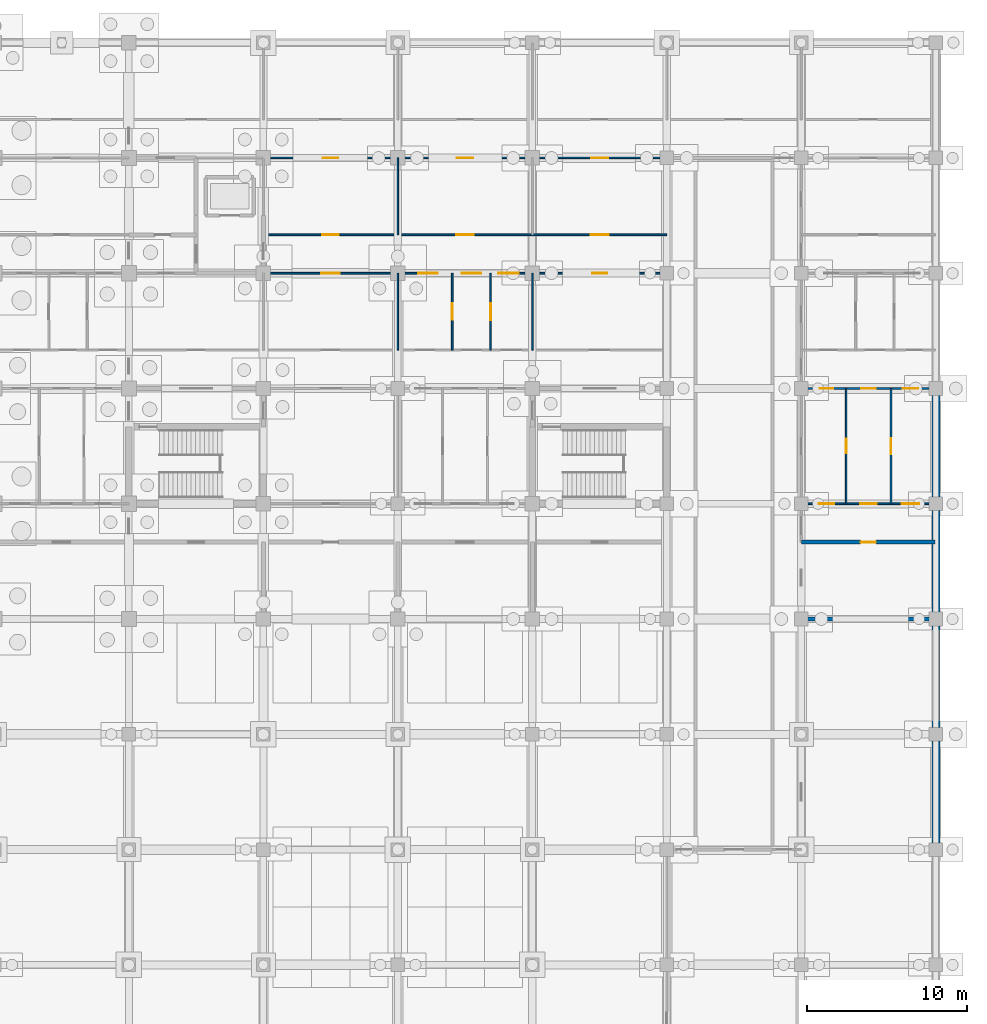
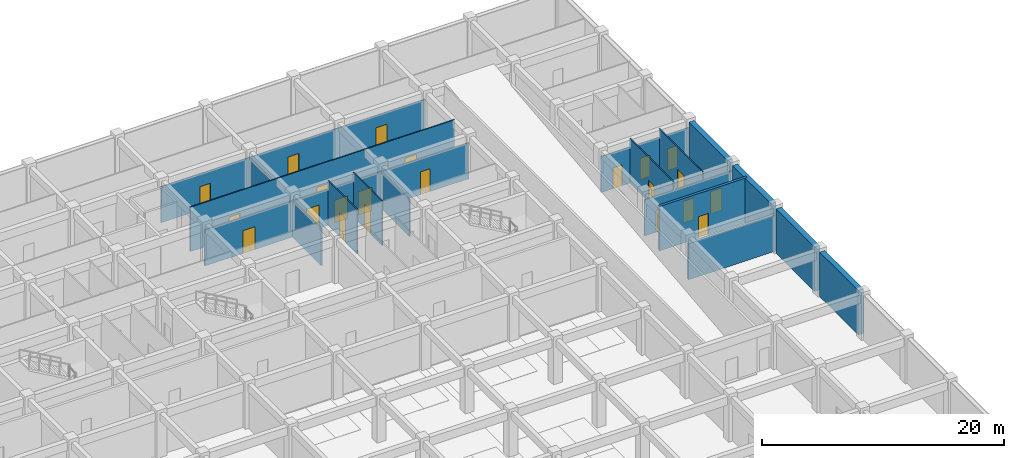
# One storey, part 78 of 85: 22 doors, 18 walls, 22 openings.
"""IFC4 building model written with IfcOpenShell, lengths in metres."""

from ifc_helpers import new_model, si_unit, direction, frame, frame_2d, origin, place, context, subcontext, project, spatial, rectangle, extrude, material, layer, layer_set, type_object, element, fill, save


model = new_model("IFC4")

# Units and contexts
model_context = context("Model", 3, precision=1e-05, world=origin(), true_north=direction((0.0, 1.0)))
body_context = subcontext(model_context, "Body", "Model", "MODEL_VIEW")
ifc_project = project(units=[si_unit("LENGTHUNIT", "METRE"), si_unit("AREAUNIT", "SQUARE_METRE"), si_unit("VOLUMEUNIT", "CUBIC_METRE"), si_unit("PLANEANGLEUNIT", "RADIAN"), si_unit("MASSUNIT", "GRAM", prefix="KILO")], contexts=[model_context])

# Site, building, storey
site_placement = place(None, origin())
site = spatial("IfcSite", under=ifc_project, at=site_placement, CompositionType="ELEMENT")
building_placement = place(site_placement, origin())
building = spatial("IfcBuilding", under=site, at=building_placement, Name="Chengyuan Square Courthouse", CompositionType="ELEMENT")
storey_placement = place(building_placement, frame((0.0, 0.0, -10.199951171875)))
storey = spatial("IfcBuildingStorey", under=building, at=storey_placement, Name="B02", CompositionType="ELEMENT", Elevation=-10.199951171875)

# Wall
ifc_material_1 = material(Name="Concrete C40", Category="concrete")
ifc_layer_1 = layer(ifc_material_1, 0.25)
ifc_layer_set_1 = layer_set([ifc_layer_1], Name="Concrete C40")
wall_type_1 = type_object("IfcWallType", Name="WL-FW1", PredefinedType="STANDARD", material=ifc_layer_set_1)
wall_1_placement = place(storey_placement, frame((159.60009765625, 79.199951171875, 0.0), z_axis=(0.0, 0.0, 1.0), x_axis=(1.0, 0.0, 0.0)))
element("IfcWall", 1, at=wall_1_placement, inside=storey, type_object=wall_type_1, Name="Interior Wall WL-B02-I022", PredefinedType="STANDARD", context=body_context, shape_type="SweptSolid", body=[
    extrude(rectangle(XDim=8.35986328125, YDim=0.25, at=frame_2d((4.179931640625, 0.0))), origin(), (0.0, 0.0, 1.0), 3.6298828125),
])

# Wall, opening, door
wall_2_placement = place(storey_placement, frame((159.60009765625, 84.0, 0.0), z_axis=(0.0, 0.0, 1.0), x_axis=(1.0, 0.0, 0.0)))
wall_2 = element("IfcWall", 2, at=wall_2_placement, inside=storey, type_object=wall_type_1, Name="Interior Wall WL-B02-I026", PredefinedType="STANDARD", context=body_context, shape_type="SweptSolid", body=[
    extrude(rectangle(XDim=8.35986328125, YDim=0.25, at=frame_2d((4.179931640625, 0.0))), origin(), (0.0, 0.0, 1.0), 4.47998046875),
])
opening_1_placement = place(wall_2_placement, frame((3.705078125, 0.0, 0.0)))
opening_1 = element("IfcOpeningElement", 3, at=opening_1_placement, cuts=wall_2, Name="Opening DR-312", PredefinedType="OPENING", context=body_context, shape_type="SweptSolid", body=[
    extrude(rectangle(XDim=0.949951171875, YDim=2.14990234375, at=frame_2d((0.47509765625, 1.074951171875))), frame((0.0, 0.136962890625, 0.0), z_axis=(0.0, -1.0, 0.0), x_axis=(1.0, 0.0, 0.0)), (0.0, 0.0, 1.0), 0.27392578125),
])
ifc_material_2 = material(Name="Steel Q235B Fire Door", Category="steel")
door_type_1 = type_object("IfcDoorType", Name="DT-12", OperationType="NOTDEFINED", PredefinedType="DOOR", material=ifc_material_2)
door_1_placement = place(opening_1_placement, origin())
door_1 = element("IfcDoor", 4, at=door_1_placement, inside=storey, type_object=door_type_1, Name="Interior Door DR-312", OperationType="SINGLE_SWING_LEFT", OverallHeight=2.14990234375, OverallWidth=0.949951171875, PredefinedType="DOOR", context=body_context, shape_type="SweptSolid", body=[
    extrude(rectangle(XDim=0.949951171875, YDim=2.14990234375, at=frame_2d((0.47509765625, 1.074951171875))), frame((0.0, 0.02490234375, 0.0), z_axis=(0.0, -1.0, 0.0), x_axis=(1.0, 0.0, 0.0)), (0.0, 0.0, 1.0), 0.050048828125),
])
fill(opening_1, door_1)

# Wall, openings, doors
ifc_material_3 = material(Name="Gypsum Plasterboard Acoustic Stud Partition")
ifc_layer_2 = layer(ifc_material_3, 0.10009765625)
ifc_layer_set_2 = layer_set([ifc_layer_2], Name="Gypsum Plasterboard Acoustic Stud Partition")
wall_type_2 = type_object("IfcWallType", Name="WL-PT6", PredefinedType="STANDARD", material=ifc_layer_set_2)
wall_3_placement = place(storey_placement, frame((159.60009765625, 86.39990234375, 0.0), z_axis=(0.0, 0.0, 1.0), x_axis=(1.0, 0.0, 0.0)))
wall_3 = element("IfcWall", 5, at=wall_3_placement, inside=storey, type_object=wall_type_2, Name="Interior Wall WL-B02-I041", PredefinedType="STANDARD", context=body_context, shape_type="SweptSolid", body=[
    extrude(rectangle(XDim=8.35986328125, YDim=0.10009765625, at=frame_2d((4.179931640625, 0.0))), origin(), (0.0, 0.0, 1.0), 3.6298828125),
])
opening_2_placement = place(wall_3_placement, frame((1.092529296875, 0.0, 0.0)))
opening_2 = element("IfcOpeningElement", 6, at=opening_2_placement, cuts=wall_3, Name="Opening DR-259", PredefinedType="OPENING", context=body_context, shape_type="SweptSolid", body=[
    extrude(rectangle(XDim=0.9599609375, YDim=2.199951171875, at=frame_2d((0.47998046875, 1.10009765625))), frame((0.0, 0.06201171875, 0.0), z_axis=(0.0, -1.0, 0.0), x_axis=(1.0, 0.0, 0.0)), (0.0, 0.0, 1.0), 0.1240234375),
])
opening_3_placement = place(wall_3_placement, frame((3.679931640625, 0.0, 0.0)))
opening_3 = element("IfcOpeningElement", 7, at=opening_3_placement, cuts=wall_3, Name="Opening DR-261", PredefinedType="OPENING", context=body_context, shape_type="SweptSolid", body=[
    extrude(rectangle(XDim=1.0400390625, YDim=2.199951171875, at=frame_2d((0.52001953125, 1.10009765625))), frame((0.0, 0.06201171875, 0.0), z_axis=(0.0, -1.0, 0.0), x_axis=(1.0, 0.0, 0.0)), (0.0, 0.0, 1.0), 0.1240234375),
])
opening_4_placement = place(wall_3_placement, frame((6.28759765625, 0.0, 0.0)))
opening_4 = element("IfcOpeningElement", 8, at=opening_4_placement, cuts=wall_3, Name="Opening DR-262", PredefinedType="OPENING", context=body_context, shape_type="SweptSolid", body=[
    extrude(rectangle(XDim=1.080078125, YDim=2.25, at=frame_2d((0.5400390625, 1.125))), frame((0.0, 0.06201171875, 0.0), z_axis=(0.0, -1.0, 0.0), x_axis=(1.0, 0.0, 0.0)), (0.0, 0.0, 1.0), 0.1240234375),
])
ifc_material_4 = material(Name="Acoustic Solid-Core Timber Door", Category="wood")
door_type_2 = type_object("IfcDoorType", Name="DT-30", OperationType="NOTDEFINED", PredefinedType="DOOR", material=ifc_material_4)
door_2_placement = place(opening_2_placement, origin())
door_2 = element("IfcDoor", 9, at=door_2_placement, inside=storey, type_object=door_type_2, Name="Interior Door DR-259", OperationType="SINGLE_SWING_RIGHT", OverallHeight=2.199951171875, OverallWidth=0.9599609375, PredefinedType="DOOR", context=body_context, shape_type="SweptSolid", body=[
    extrude(rectangle(XDim=0.9599609375, YDim=2.199951171875, at=frame_2d((0.47998046875, 1.10009765625))), frame((0.0, 0.02490234375, 0.0), z_axis=(0.0, -1.0, 0.0), x_axis=(1.0, 0.0, 0.0)), (0.0, 0.0, 1.0), 0.050048828125),
])
fill(opening_2, door_2)
door_type_3 = type_object("IfcDoorType", Name="DT-32", OperationType="NOTDEFINED", PredefinedType="DOOR", material=ifc_material_4)
door_3_placement = place(opening_3_placement, origin())
door_3 = element("IfcDoor", 10, at=door_3_placement, inside=storey, type_object=door_type_3, Name="Interior Door DR-261", OperationType="SINGLE_SWING_RIGHT", OverallHeight=2.199951171875, OverallWidth=1.0400390625, PredefinedType="DOOR", context=body_context, shape_type="SweptSolid", body=[
    extrude(rectangle(XDim=1.0400390625, YDim=2.199951171875, at=frame_2d((0.52001953125, 1.10009765625))), frame((0.0, 0.02490234375, 0.0), z_axis=(0.0, -1.0, 0.0), x_axis=(1.0, 0.0, 0.0)), (0.0, 0.0, 1.0), 0.050048828125),
])
fill(opening_3, door_3)
door_type_4 = type_object("IfcDoorType", Name="DT-33", OperationType="NOTDEFINED", PredefinedType="DOOR", material=ifc_material_4)
door_4_placement = place(opening_4_placement, origin())
door_4 = element("IfcDoor", 11, at=door_4_placement, inside=storey, type_object=door_type_4, Name="Interior Door DR-262", OperationType="SINGLE_SWING_LEFT", OverallHeight=2.25, OverallWidth=1.080078125, PredefinedType="DOOR", context=body_context, shape_type="SweptSolid", body=[
    extrude(rectangle(XDim=1.080078125, YDim=2.25, at=frame_2d((0.5400390625, 1.125))), frame((0.0, 0.02490234375, 0.0), z_axis=(0.0, -1.0, 0.0), x_axis=(1.0, 0.0, 0.0)), (0.0, 0.0, 1.0), 0.050048828125),
])
fill(opening_4, door_4)

wall_4_placement = place(storey_placement, frame((159.60009765625, 93.60009765625, 0.0), z_axis=(0.0, 0.0, 1.0), x_axis=(1.0, 0.0, 0.0)))
wall_4 = element("IfcWall", 12, at=wall_4_placement, inside=storey, type_object=wall_type_2, Name="Interior Wall WL-B02-I061", PredefinedType="STANDARD", context=body_context, shape_type="SweptSolid", body=[
    extrude(rectangle(XDim=8.35986328125, YDim=0.10009765625, at=frame_2d((4.179931640625, 0.0))), origin(), (0.0, 0.0, 1.0), 3.6298828125),
])
opening_5_placement = place(wall_4_placement, frame((1.142578125, 0.0, 0.0)))
opening_5 = element("IfcOpeningElement", 13, at=opening_5_placement, cuts=wall_4, Name="Opening DR-206", PredefinedType="OPENING", context=body_context, shape_type="SweptSolid", body=[
    extrude(rectangle(XDim=0.860107421875, YDim=2.10009765625, at=frame_2d((0.43017578125, 1.050048828125))), frame((0.0, 0.06201171875, 0.0), z_axis=(0.0, -1.0, 0.0), x_axis=(1.0, 0.0, 0.0)), (0.0, 0.0, 1.0), 0.1240234375),
])
opening_6_placement = place(wall_4_placement, frame((3.739990234375, 0.0, 0.0)))
opening_6 = element("IfcOpeningElement", 14, at=opening_6_placement, cuts=wall_4, Name="Opening DR-207", PredefinedType="OPENING", context=body_context, shape_type="SweptSolid", body=[
    extrude(rectangle(XDim=0.919921875, YDim=2.14990234375, at=frame_2d((0.4599609375, 1.074951171875))), frame((0.0, 0.06201171875, 0.0), z_axis=(0.0, -1.0, 0.0), x_axis=(1.0, 0.0, 0.0)), (0.0, 0.0, 1.0), 0.1240234375),
])
opening_7_placement = place(wall_4_placement, frame((6.347412109375, 0.0, 0.0)))
opening_7 = element("IfcOpeningElement", 15, at=opening_7_placement, cuts=wall_4, Name="Opening DR-208", PredefinedType="OPENING", context=body_context, shape_type="SweptSolid", body=[
    extrude(rectangle(XDim=0.9599609375, YDim=2.199951171875, at=frame_2d((0.47998046875, 1.10009765625))), frame((0.0, 0.06201171875, 0.0), z_axis=(0.0, -1.0, 0.0), x_axis=(1.0, 0.0, 0.0)), (0.0, 0.0, 1.0), 0.1240234375),
])
door_type_5 = type_object("IfcDoorType", Name="DT-28", OperationType="NOTDEFINED", PredefinedType="DOOR", material=ifc_material_4)
door_5_placement = place(opening_5_placement, origin())
door_5 = element("IfcDoor", 16, at=door_5_placement, inside=storey, type_object=door_type_5, Name="Interior Door DR-206", OperationType="SINGLE_SWING_RIGHT", OverallHeight=2.10009765625, OverallWidth=0.860107421875, PredefinedType="DOOR", context=body_context, shape_type="SweptSolid", body=[
    extrude(rectangle(XDim=0.860107421875, YDim=2.10009765625, at=frame_2d((0.43017578125, 1.050048828125))), frame((0.0, 0.02490234375, 0.0), z_axis=(0.0, -1.0, 0.0), x_axis=(1.0, 0.0, 0.0)), (0.0, 0.0, 1.0), 0.050048828125),
])
fill(opening_5, door_5)
door_type_6 = type_object("IfcDoorType", Name="DT-29", OperationType="NOTDEFINED", PredefinedType="DOOR", material=ifc_material_4)
door_6_placement = place(opening_6_placement, origin())
door_6 = element("IfcDoor", 17, at=door_6_placement, inside=storey, type_object=door_type_6, Name="Interior Door DR-207", OperationType="SINGLE_SWING_LEFT", OverallHeight=2.14990234375, OverallWidth=0.919921875, PredefinedType="DOOR", context=body_context, shape_type="SweptSolid", body=[
    extrude(rectangle(XDim=0.919921875, YDim=2.14990234375, at=frame_2d((0.4599609375, 1.074951171875))), frame((0.0, 0.02490234375, 0.0), z_axis=(0.0, -1.0, 0.0), x_axis=(1.0, 0.0, 0.0)), (0.0, 0.0, 1.0), 0.050048828125),
])
fill(opening_6, door_6)
door_7_placement = place(opening_7_placement, origin())
door_7 = element("IfcDoor", 18, at=door_7_placement, inside=storey, type_object=door_type_2, Name="Interior Door DR-208", OperationType="SINGLE_SWING_RIGHT", OverallHeight=2.199951171875, OverallWidth=0.9599609375, PredefinedType="DOOR", context=body_context, shape_type="SweptSolid", body=[
    extrude(rectangle(XDim=0.9599609375, YDim=2.199951171875, at=frame_2d((0.47998046875, 1.10009765625))), frame((0.0, 0.02490234375, 0.0), z_axis=(0.0, -1.0, 0.0), x_axis=(1.0, 0.0, 0.0)), (0.0, 0.0, 1.0), 0.050048828125),
])
fill(opening_7, door_7)

wall_5_placement = place(storey_placement, frame((126.0, 100.800048828125, 0.0), z_axis=(0.0, 0.0, 1.0), x_axis=(1.0, 0.0, 0.0)))
wall_5 = element("IfcWall", 19, at=wall_5_placement, inside=storey, type_object=wall_type_2, Name="Interior Wall WL-B02-I072", PredefinedType="STANDARD", context=body_context, shape_type="SweptSolid", body=[
    extrude(rectangle(XDim=25.199951171875, YDim=0.10009765625, at=frame_2d((12.60009765625, 0.0))), origin(), (0.0, 0.0, 1.0), 3.6298828125),
])
opening_8_placement = place(wall_5_placement, frame((3.6201171875, 0.0, 0.0)))
opening_8 = element("IfcOpeningElement", 20, at=opening_8_placement, cuts=wall_5, Name="Opening DR-128", PredefinedType="OPENING", context=body_context, shape_type="SweptSolid", body=[
    extrude(rectangle(XDim=1.159912109375, YDim=2.300048828125, at=frame_2d((0.580078125, 1.14990234375))), frame((0.0, 0.06201171875, 0.0), z_axis=(0.0, -1.0, 0.0), x_axis=(1.0, 0.0, 0.0)), (0.0, 0.0, 1.0), 0.1240234375),
])
opening_9_placement = place(wall_5_placement, frame((9.68505859375, 0.0, 0.0)))
opening_9 = element("IfcOpeningElement", 21, at=opening_9_placement, cuts=wall_5, Name="Opening DR-129", PredefinedType="OPENING", context=body_context, shape_type="SweptSolid", body=[
    extrude(rectangle(XDim=1.199951171875, YDim=2.35009765625, at=frame_2d((0.60009765625, 1.175048828125))), frame((0.0, 0.06201171875, 0.0), z_axis=(0.0, -1.0, 0.0), x_axis=(1.0, 0.0, 0.0)), (0.0, 0.0, 1.0), 0.1240234375),
])
opening_10_placement = place(wall_5_placement, frame((12.3798828125, 0.0, 0.0)))
opening_10 = element("IfcOpeningElement", 22, at=opening_10_placement, cuts=wall_5, Name="Opening DR-130", PredefinedType="OPENING", context=body_context, shape_type="SweptSolid", body=[
    extrude(rectangle(XDim=1.239990234375, YDim=2.300048828125, at=frame_2d((0.6201171875, 1.14990234375))), frame((0.0, 0.06201171875, 0.0), z_axis=(0.0, -1.0, 0.0), x_axis=(1.0, 0.0, 0.0)), (0.0, 0.0, 1.0), 0.1240234375),
])
opening_11_placement = place(wall_5_placement, frame((14.675048828125, 0.0, 0.0)))
opening_11 = element("IfcOpeningElement", 23, at=opening_11_placement, cuts=wall_5, Name="Opening DR-131", PredefinedType="OPENING", context=body_context, shape_type="SweptSolid", body=[
    extrude(rectangle(XDim=1.280029296875, YDim=2.35009765625, at=frame_2d((0.64013671875, 1.175048828125))), frame((0.0, 0.06201171875, 0.0), z_axis=(0.0, -1.0, 0.0), x_axis=(1.0, 0.0, 0.0)), (0.0, 0.0, 1.0), 0.1240234375),
])
opening_12_placement = place(wall_5_placement, frame((20.54248046875, 0.0, 0.0)))
opening_12 = element("IfcOpeningElement", 24, at=opening_12_placement, cuts=wall_5, Name="Opening DR-132", PredefinedType="OPENING", context=body_context, shape_type="SweptSolid", body=[
    extrude(rectangle(XDim=0.93994140625, YDim=2.300048828125, at=frame_2d((0.469970703125, 1.14990234375))), frame((0.0, 0.06201171875, 0.0), z_axis=(0.0, -1.0, 0.0), x_axis=(1.0, 0.0, 0.0)), (0.0, 0.0, 1.0), 0.1240234375),
])
door_type_7 = type_object("IfcDoorType", Name="DT-35", OperationType="NOTDEFINED", PredefinedType="DOOR", material=ifc_material_4)
door_8_placement = place(opening_8_placement, origin())
door_8 = element("IfcDoor", 25, at=door_8_placement, inside=storey, type_object=door_type_7, Name="Interior Door DR-128", OperationType="SINGLE_SWING_RIGHT", OverallHeight=2.300048828125, OverallWidth=1.159912109375, PredefinedType="DOOR", context=body_context, shape_type="SweptSolid", body=[
    extrude(rectangle(XDim=1.159912109375, YDim=2.300048828125, at=frame_2d((0.580078125, 1.14990234375))), frame((0.0, 0.02490234375, 0.0), z_axis=(0.0, -1.0, 0.0), x_axis=(1.0, 0.0, 0.0)), (0.0, 0.0, 1.0), 0.050048828125),
])
fill(opening_8, door_8)
door_type_8 = type_object("IfcDoorType", Name="DT-36", OperationType="NOTDEFINED", PredefinedType="DOOR", material=ifc_material_4)
door_9_placement = place(opening_9_placement, origin())
door_9 = element("IfcDoor", 26, at=door_9_placement, inside=storey, type_object=door_type_8, Name="Interior Door DR-129", OperationType="SINGLE_SWING_LEFT", OverallHeight=2.35009765625, OverallWidth=1.199951171875, PredefinedType="DOOR", context=body_context, shape_type="SweptSolid", body=[
    extrude(rectangle(XDim=1.199951171875, YDim=2.35009765625, at=frame_2d((0.60009765625, 1.175048828125))), frame((0.0, 0.02490234375, 0.0), z_axis=(0.0, -1.0, 0.0), x_axis=(1.0, 0.0, 0.0)), (0.0, 0.0, 1.0), 0.050048828125),
])
fill(opening_9, door_9)
door_type_9 = type_object("IfcDoorType", Name="DT-37", OperationType="NOTDEFINED", PredefinedType="DOOR", material=ifc_material_4)
door_10_placement = place(opening_10_placement, origin())
door_10 = element("IfcDoor", 27, at=door_10_placement, inside=storey, type_object=door_type_9, Name="Interior Door DR-130", OperationType="SINGLE_SWING_RIGHT", OverallHeight=2.300048828125, OverallWidth=1.239990234375, PredefinedType="DOOR", context=body_context, shape_type="SweptSolid", body=[
    extrude(rectangle(XDim=1.239990234375, YDim=2.300048828125, at=frame_2d((0.6201171875, 1.14990234375))), frame((0.0, 0.02490234375, 0.0), z_axis=(0.0, -1.0, 0.0), x_axis=(1.0, 0.0, 0.0)), (0.0, 0.0, 1.0), 0.050048828125),
])
fill(opening_10, door_10)
door_type_10 = type_object("IfcDoorType", Name="DT-38", OperationType="NOTDEFINED", PredefinedType="DOOR", material=ifc_material_4)
door_11_placement = place(opening_11_placement, origin())
door_11 = element("IfcDoor", 28, at=door_11_placement, inside=storey, type_object=door_type_10, Name="Interior Door DR-131", OperationType="SINGLE_SWING_LEFT", OverallHeight=2.35009765625, OverallWidth=1.280029296875, PredefinedType="DOOR", context=body_context, shape_type="SweptSolid", body=[
    extrude(rectangle(XDim=1.280029296875, YDim=2.35009765625, at=frame_2d((0.64013671875, 1.175048828125))), frame((0.0, 0.02490234375, 0.0), z_axis=(0.0, -1.0, 0.0), x_axis=(1.0, 0.0, 0.0)), (0.0, 0.0, 1.0), 0.050048828125),
])
fill(opening_11, door_11)
door_type_11 = type_object("IfcDoorType", Name="DT-39", OperationType="NOTDEFINED", PredefinedType="DOOR", material=ifc_material_4)
door_12_placement = place(opening_12_placement, origin())
door_12 = element("IfcDoor", 29, at=door_12_placement, inside=storey, type_object=door_type_11, Name="Interior Door DR-132", OperationType="SINGLE_SWING_RIGHT", OverallHeight=2.300048828125, OverallWidth=0.93994140625, PredefinedType="DOOR", context=body_context, shape_type="SweptSolid", body=[
    extrude(rectangle(XDim=0.93994140625, YDim=2.300048828125, at=frame_2d((0.469970703125, 1.14990234375))), frame((0.0, 0.02490234375, 0.0), z_axis=(0.0, -1.0, 0.0), x_axis=(1.0, 0.0, 0.0)), (0.0, 0.0, 1.0), 0.050048828125),
])
fill(opening_12, door_12)

wall_6_placement = place(storey_placement, frame((126.0, 103.199951171875, 0.0), z_axis=(0.0, 0.0, 1.0), x_axis=(1.0, 0.0, 0.0)))
wall_6 = element("IfcWall", 30, at=wall_6_placement, inside=storey, type_object=wall_type_2, Name="Interior Wall WL-B02-I084", PredefinedType="STANDARD", context=body_context, shape_type="SweptSolid", body=[
    extrude(rectangle(XDim=25.199951171875, YDim=0.10009765625, at=frame_2d((12.60009765625, 0.0))), origin(), (0.0, 0.0, 1.0), 4.47998046875),
])
opening_13_placement = place(wall_6_placement, frame((3.679931640625, 0.0, 0.0)))
opening_13 = element("IfcOpeningElement", 31, at=opening_13_placement, cuts=wall_6, Name="Opening DR-125", PredefinedType="OPENING", context=body_context, shape_type="SweptSolid", body=[
    extrude(rectangle(XDim=1.0400390625, YDim=2.199951171875, at=frame_2d((0.52001953125, 1.10009765625))), frame((0.0, 0.06201171875, 0.0), z_axis=(0.0, -1.0, 0.0), x_axis=(1.0, 0.0, 0.0)), (0.0, 0.0, 1.0), 0.1240234375),
])
opening_14_placement = place(wall_6_placement, frame((12.06005859375, 0.0, 0.0)))
opening_14 = element("IfcOpeningElement", 32, at=opening_14_placement, cuts=wall_6, Name="Opening DR-126", PredefinedType="OPENING", context=body_context, shape_type="SweptSolid", body=[
    extrude(rectangle(XDim=1.080078125, YDim=2.25, at=frame_2d((0.5400390625, 1.125))), frame((0.0, 0.06201171875, 0.0), z_axis=(0.0, -1.0, 0.0), x_axis=(1.0, 0.0, 0.0)), (0.0, 0.0, 1.0), 0.1240234375),
])
opening_15_placement = place(wall_6_placement, frame((20.43994140625, 0.0, 0.0)))
opening_15 = element("IfcOpeningElement", 33, at=opening_15_placement, cuts=wall_6, Name="Opening DR-127", PredefinedType="OPENING", context=body_context, shape_type="SweptSolid", body=[
    extrude(rectangle(XDim=1.1201171875, YDim=2.25, at=frame_2d((0.56005859375, 1.125))), frame((0.0, 0.06201171875, 0.0), z_axis=(0.0, -1.0, 0.0), x_axis=(1.0, 0.0, 0.0)), (0.0, 0.0, 1.0), 0.1240234375),
])
door_13_placement = place(opening_13_placement, origin())
door_13 = element("IfcDoor", 34, at=door_13_placement, inside=storey, type_object=door_type_3, Name="Interior Door DR-125", OperationType="SINGLE_SWING_LEFT", OverallHeight=2.199951171875, OverallWidth=1.0400390625, PredefinedType="DOOR", context=body_context, shape_type="SweptSolid", body=[
    extrude(rectangle(XDim=1.0400390625, YDim=2.199951171875, at=frame_2d((0.52001953125, 1.10009765625))), frame((0.0, 0.02490234375, 0.0), z_axis=(0.0, -1.0, 0.0), x_axis=(1.0, 0.0, 0.0)), (0.0, 0.0, 1.0), 0.050048828125),
])
fill(opening_13, door_13)
door_14_placement = place(opening_14_placement, origin())
door_14 = element("IfcDoor", 35, at=door_14_placement, inside=storey, type_object=door_type_4, Name="Interior Door DR-126", OperationType="SINGLE_SWING_RIGHT", OverallHeight=2.25, OverallWidth=1.080078125, PredefinedType="DOOR", context=body_context, shape_type="SweptSolid", body=[
    extrude(rectangle(XDim=1.080078125, YDim=2.25, at=frame_2d((0.5400390625, 1.125))), frame((0.0, 0.02490234375, 0.0), z_axis=(0.0, -1.0, 0.0), x_axis=(1.0, 0.0, 0.0)), (0.0, 0.0, 1.0), 0.050048828125),
])
fill(opening_14, door_14)
door_type_12 = type_object("IfcDoorType", Name="DT-34", OperationType="NOTDEFINED", PredefinedType="DOOR", material=ifc_material_4)
door_15_placement = place(opening_15_placement, origin())
door_15 = element("IfcDoor", 36, at=door_15_placement, inside=storey, type_object=door_type_12, Name="Interior Door DR-127", OperationType="SINGLE_SWING_LEFT", OverallHeight=2.25, OverallWidth=1.1201171875, PredefinedType="DOOR", context=body_context, shape_type="SweptSolid", body=[
    extrude(rectangle(XDim=1.1201171875, YDim=2.25, at=frame_2d((0.56005859375, 1.125))), frame((0.0, 0.02490234375, 0.0), z_axis=(0.0, -1.0, 0.0), x_axis=(1.0, 0.0, 0.0)), (0.0, 0.0, 1.0), 0.050048828125),
])
fill(opening_15, door_15)

wall_7_placement = place(storey_placement, frame((126.0, 108.0, 0.0), z_axis=(0.0, 0.0, 1.0), x_axis=(1.0, 0.0, 0.0)))
wall_7 = element("IfcWall", 37, at=wall_7_placement, inside=storey, type_object=wall_type_2, Name="Interior Wall WL-B02-I108", PredefinedType="STANDARD", context=body_context, shape_type="SweptSolid", body=[
    extrude(rectangle(XDim=25.199951171875, YDim=0.10009765625, at=frame_2d((12.60009765625, 0.0))), origin(), (0.0, 0.0, 1.0), 3.6298828125),
])
opening_16_placement = place(wall_7_placement, frame((3.7099609375, 0.0, 0.0)))
opening_16 = element("IfcOpeningElement", 38, at=opening_16_placement, cuts=wall_7, Name="Opening DR-133", PredefinedType="OPENING", context=body_context, shape_type="SweptSolid", body=[
    extrude(rectangle(XDim=0.97998046875, YDim=2.35009765625, at=frame_2d((0.489990234375, 1.175048828125))), frame((0.0, 0.06201171875, 0.0), z_axis=(0.0, -1.0, 0.0), x_axis=(1.0, 0.0, 0.0)), (0.0, 0.0, 1.0), 0.1240234375),
])
opening_17_placement = place(wall_7_placement, frame((12.090087890625, 0.0, 0.0)))
opening_17 = element("IfcOpeningElement", 39, at=opening_17_placement, cuts=wall_7, Name="Opening DR-134", PredefinedType="OPENING", context=body_context, shape_type="SweptSolid", body=[
    extrude(rectangle(XDim=1.02001953125, YDim=2.39990234375, at=frame_2d((0.510009765625, 1.199951171875))), frame((0.0, 0.06201171875, 0.0), z_axis=(0.0, -1.0, 0.0), x_axis=(1.0, 0.0, 0.0)), (0.0, 0.0, 1.0), 0.1240234375),
])
opening_18_placement = place(wall_7_placement, frame((20.482421875, 0.0, 0.0)))
opening_18 = element("IfcOpeningElement", 40, at=opening_18_placement, cuts=wall_7, Name="Opening DR-135", PredefinedType="OPENING", context=body_context, shape_type="SweptSolid", body=[
    extrude(rectangle(XDim=1.06005859375, YDim=2.39990234375, at=frame_2d((0.530029296875, 1.199951171875))), frame((0.0, 0.06201171875, 0.0), z_axis=(0.0, -1.0, 0.0), x_axis=(1.0, 0.0, 0.0)), (0.0, 0.0, 1.0), 0.1240234375),
])
door_type_13 = type_object("IfcDoorType", Name="DT-40", OperationType="NOTDEFINED", PredefinedType="DOOR", material=ifc_material_4)
door_16_placement = place(opening_16_placement, origin())
door_16 = element("IfcDoor", 41, at=door_16_placement, inside=storey, type_object=door_type_13, Name="Interior Door DR-133", OperationType="SINGLE_SWING_LEFT", OverallHeight=2.35009765625, OverallWidth=0.97998046875, PredefinedType="DOOR", context=body_context, shape_type="SweptSolid", body=[
    extrude(rectangle(XDim=0.97998046875, YDim=2.35009765625, at=frame_2d((0.489990234375, 1.175048828125))), frame((0.0, 0.02490234375, 0.0), z_axis=(0.0, -1.0, 0.0), x_axis=(1.0, 0.0, 0.0)), (0.0, 0.0, 1.0), 0.050048828125),
])
fill(opening_16, door_16)
door_type_14 = type_object("IfcDoorType", Name="DT-41", OperationType="NOTDEFINED", PredefinedType="DOOR", material=ifc_material_4)
door_17_placement = place(opening_17_placement, origin())
door_17 = element("IfcDoor", 42, at=door_17_placement, inside=storey, type_object=door_type_14, Name="Interior Door DR-134", OperationType="SINGLE_SWING_RIGHT", OverallHeight=2.39990234375, OverallWidth=1.02001953125, PredefinedType="DOOR", context=body_context, shape_type="SweptSolid", body=[
    extrude(rectangle(XDim=1.02001953125, YDim=2.39990234375, at=frame_2d((0.510009765625, 1.199951171875))), frame((0.0, 0.02490234375, 0.0), z_axis=(0.0, -1.0, 0.0), x_axis=(1.0, 0.0, 0.0)), (0.0, 0.0, 1.0), 0.050048828125),
])
fill(opening_17, door_17)
door_type_15 = type_object("IfcDoorType", Name="DT-42", OperationType="NOTDEFINED", PredefinedType="DOOR", material=ifc_material_4)
door_18_placement = place(opening_18_placement, origin())
door_18 = element("IfcDoor", 43, at=door_18_placement, inside=storey, type_object=door_type_15, Name="Interior Door DR-135", OperationType="SINGLE_SWING_LEFT", OverallHeight=2.39990234375, OverallWidth=1.06005859375, PredefinedType="DOOR", context=body_context, shape_type="SweptSolid", body=[
    extrude(rectangle(XDim=1.06005859375, YDim=2.39990234375, at=frame_2d((0.530029296875, 1.199951171875))), frame((0.0, 0.02490234375, 0.0), z_axis=(0.0, -1.0, 0.0), x_axis=(1.0, 0.0, 0.0)), (0.0, 0.0, 1.0), 0.050048828125),
])
fill(opening_18, door_18)

# Walls
for number, where, z_axis, x_axis, name in (
    (44, (134.39990234375, 96.0, 0.0), (0.0, 0.0, 1.0), (0.0, 1.0, 0.0), "Interior Wall WL-B02-I248"),
    (45, (134.39990234375, 103.199951171875, 0.0), (0.0, 0.0, 1.0), (0.0, 1.0, 0.0), "Interior Wall WL-B02-I249"),
):
    element("IfcWall", number, at=place(storey_placement, frame(where, z_axis=z_axis, x_axis=x_axis)), inside=storey, type_object=wall_type_2, Name=name, PredefinedType="STANDARD", context=body_context, shape_type="SweptSolid", body=[
        extrude(rectangle(XDim=4.800048828125, YDim=0.10009765625, at=frame_2d((2.39990234375, 0.0))), origin(), (0.0, 0.0, 1.0), 3.72998046875),
    ])

# Wall, opening, door
wall_8_placement = place(storey_placement, frame((137.800048828125, 96.0, 0.0), z_axis=(0.0, 0.0, 1.0), x_axis=(0.0, 1.0, 0.0)))
wall_8 = element("IfcWall", 46, at=wall_8_placement, inside=storey, type_object=wall_type_2, Name="Interior Wall WL-B02-I252", PredefinedType="STANDARD", context=body_context, shape_type="SweptSolid", body=[
    extrude(rectangle(XDim=4.800048828125, YDim=0.10009765625, at=frame_2d((2.39990234375, 0.0))), origin(), (0.0, 0.0, 1.0), 4.47998046875),
])
opening_19_placement = place(wall_8_placement, frame((1.889892578125, 0.0, 0.0)))
opening_19 = element("IfcOpeningElement", 47, at=opening_19_placement, cuts=wall_8, Name="Opening DR-219", PredefinedType="OPENING", context=body_context, shape_type="SweptSolid", body=[
    extrude(rectangle(XDim=1.02001953125, YDim=2.39990234375, at=frame_2d((0.510009765625, 1.199951171875))), frame((0.0, 0.06201171875, 0.0), z_axis=(0.0, -1.0, 0.0), x_axis=(1.0, 0.0, 0.0)), (0.0, 0.0, 1.0), 0.1240234375),
])
door_19_placement = place(opening_19_placement, origin())
door_19 = element("IfcDoor", 48, at=door_19_placement, inside=storey, type_object=door_type_14, Name="Interior Door DR-219", OperationType="SINGLE_SWING_LEFT", OverallHeight=2.39990234375, OverallWidth=1.02001953125, PredefinedType="DOOR", context=body_context, shape_type="SweptSolid", body=[
    extrude(rectangle(XDim=1.02001953125, YDim=2.39990234375, at=frame_2d((0.510009765625, 1.199951171875))), frame((0.0, 0.02490234375, 0.0), z_axis=(0.0, -1.0, 0.0), x_axis=(1.0, 0.0, 0.0)), (0.0, 0.0, 1.0), 0.050048828125),
])
fill(opening_19, door_19)

wall_9_placement = place(storey_placement, frame((140.199951171875, 96.0, 0.0), z_axis=(0.0, 0.0, 1.0), x_axis=(0.0, 1.0, 0.0)))
wall_9 = element("IfcWall", 49, at=wall_9_placement, inside=storey, type_object=wall_type_2, Name="Interior Wall WL-B02-I254", PredefinedType="STANDARD", context=body_context, shape_type="SweptSolid", body=[
    extrude(rectangle(XDim=4.800048828125, YDim=0.10009765625, at=frame_2d((2.39990234375, 0.0))), origin(), (0.0, 0.0, 1.0), 4.47998046875),
])
opening_20_placement = place(wall_9_placement, frame((1.8701171875, 0.0, 0.0)))
opening_20 = element("IfcOpeningElement", 50, at=opening_20_placement, cuts=wall_9, Name="Opening DR-220", PredefinedType="OPENING", context=body_context, shape_type="SweptSolid", body=[
    extrude(rectangle(XDim=1.06005859375, YDim=2.39990234375, at=frame_2d((0.530029296875, 1.199951171875))), frame((0.0, 0.06201171875, 0.0), z_axis=(0.0, -1.0, 0.0), x_axis=(1.0, 0.0, 0.0)), (0.0, 0.0, 1.0), 0.1240234375),
])
door_20_placement = place(opening_20_placement, origin())
door_20 = element("IfcDoor", 51, at=door_20_placement, inside=storey, type_object=door_type_15, Name="Interior Door DR-220", OperationType="SINGLE_SWING_RIGHT", OverallHeight=2.39990234375, OverallWidth=1.06005859375, PredefinedType="DOOR", context=body_context, shape_type="SweptSolid", body=[
    extrude(rectangle(XDim=1.06005859375, YDim=2.39990234375, at=frame_2d((0.530029296875, 1.199951171875))), frame((0.0, 0.02490234375, 0.0), z_axis=(0.0, -1.0, 0.0), x_axis=(1.0, 0.0, 0.0)), (0.0, 0.0, 1.0), 0.050048828125),
])
fill(opening_20, door_20)

# Wall
wall_10_placement = place(storey_placement, frame((142.800048828125, 96.0, 0.0), z_axis=(0.0, 0.0, 1.0), x_axis=(0.0, 1.0, 0.0)))
element("IfcWall", 52, at=wall_10_placement, inside=storey, type_object=wall_type_2, Name="Interior Wall WL-B02-I258", PredefinedType="STANDARD", context=body_context, shape_type="SweptSolid", body=[
    extrude(rectangle(XDim=4.800048828125, YDim=0.10009765625, at=frame_2d((2.39990234375, 0.0))), origin(), (0.0, 0.0, 1.0), 3.72998046875),
])

# Wall, opening, door
wall_11_placement = place(storey_placement, frame((162.39990234375, 86.39990234375, 0.0), z_axis=(0.0, 0.0, 1.0), x_axis=(0.0, 1.0, 0.0)))
wall_11 = element("IfcWall", 53, at=wall_11_placement, inside=storey, type_object=wall_type_2, Name="Interior Wall WL-B02-I274", PredefinedType="STANDARD", context=body_context, shape_type="SweptSolid", body=[
    extrude(rectangle(XDim=7.2001953125, YDim=0.10009765625, at=frame_2d((3.60009765625, 0.0))), origin(), (0.0, 0.0, 1.0), 4.47998046875),
])
opening_21_placement = place(wall_11_placement, frame((3.139892578125, 0.0, 0.0)))
opening_21 = element("IfcOpeningElement", 54, at=opening_21_placement, cuts=wall_11, Name="Opening DR-258", PredefinedType="OPENING", context=body_context, shape_type="SweptSolid", body=[
    extrude(rectangle(XDim=0.919921875, YDim=2.14990234375, at=frame_2d((0.4599609375, 1.074951171875))), frame((0.0, 0.06201171875, 0.0), z_axis=(0.0, -1.0, 0.0), x_axis=(1.0, 0.0, 0.0)), (0.0, 0.0, 1.0), 0.1240234375),
])
door_21_placement = place(opening_21_placement, origin())
door_21 = element("IfcDoor", 55, at=door_21_placement, inside=storey, type_object=door_type_6, Name="Interior Door DR-258", OperationType="SINGLE_SWING_LEFT", OverallHeight=2.14990234375, OverallWidth=0.919921875, PredefinedType="DOOR", context=body_context, shape_type="SweptSolid", body=[
    extrude(rectangle(XDim=0.919921875, YDim=2.14990234375, at=frame_2d((0.4599609375, 1.074951171875))), frame((0.0, 0.02490234375, 0.0), z_axis=(0.0, -1.0, 0.0), x_axis=(1.0, 0.0, 0.0)), (0.0, 0.0, 1.0), 0.050048828125),
])
fill(opening_21, door_21)

wall_12_placement = place(storey_placement, frame((165.199951171875, 86.39990234375, 0.0), z_axis=(0.0, 0.0, 1.0), x_axis=(0.0, 1.0, 0.0)))
wall_12 = element("IfcWall", 56, at=wall_12_placement, inside=storey, type_object=wall_type_2, Name="Interior Wall WL-B02-I276", PredefinedType="STANDARD", context=body_context, shape_type="SweptSolid", body=[
    extrude(rectangle(XDim=7.2001953125, YDim=0.10009765625, at=frame_2d((3.60009765625, 0.0))), origin(), (0.0, 0.0, 1.0), 4.47998046875),
])
opening_22_placement = place(wall_12_placement, frame((3.10009765625, 0.0, 0.0)))
opening_22 = element("IfcOpeningElement", 57, at=opening_22_placement, cuts=wall_12, Name="Opening DR-260", PredefinedType="OPENING", context=body_context, shape_type="SweptSolid", body=[
    extrude(rectangle(XDim=1.0, YDim=2.25, at=frame_2d((0.5, 1.125))), frame((0.0, 0.06201171875, 0.0), z_axis=(0.0, -1.0, 0.0), x_axis=(1.0, 0.0, 0.0)), (0.0, 0.0, 1.0), 0.1240234375),
])
door_type_16 = type_object("IfcDoorType", Name="DT-31", OperationType="NOTDEFINED", PredefinedType="DOOR", material=ifc_material_4)
door_22_placement = place(opening_22_placement, origin())
door_22 = element("IfcDoor", 58, at=door_22_placement, inside=storey, type_object=door_type_16, Name="Interior Door DR-260", OperationType="SINGLE_SWING_LEFT", OverallHeight=2.25, OverallWidth=1.0, PredefinedType="DOOR", context=body_context, shape_type="SweptSolid", body=[
    extrude(rectangle(XDim=1.0, YDim=2.25, at=frame_2d((0.5, 1.125))), frame((0.0, 0.02490234375, 0.0), z_axis=(0.0, -1.0, 0.0), x_axis=(1.0, 0.0, 0.0)), (0.0, 0.0, 1.0), 0.050048828125),
])
fill(opening_22, door_22)

# Walls
ifc_layer_3 = layer(ifc_material_1, 0.5)
ifc_layer_set_3 = layer_set([ifc_layer_3], Name="Concrete C40")
wall_type_3 = type_object("IfcWallType", Name="WL-RW1", PredefinedType="USERDEFINED", material=ifc_layer_set_3)
for number, where, z_axis, x_axis, name in (
    (59, (168.0, 65.219970703125, 0.0), (0.0, 0.0, 1.0), (0.0, 1.0, 0.0), "Basement Retaining Wall WL-B02-E065"),
    (60, (168.0, 72.419921875, 0.0), (0.0, 0.0, 1.0), (0.0, 1.0, 0.0), "Basement Retaining Wall WL-B02-E066"),
):
    element("IfcWall", number, at=place(storey_placement, frame(where, z_axis=z_axis, x_axis=x_axis)), inside=storey, type_object=wall_type_3, Name=name, ObjectType="RETAININGWALL", PredefinedType="USERDEFINED", context=body_context, shape_type="SweptSolid", body=[
        extrude(rectangle(XDim=6.360107421875, YDim=0.5, at=frame_2d((3.18017578125, 0.0))), origin(), (0.0, 0.0, 1.0), 4.47998046875),
    ])
for number, where, z_axis, x_axis, name in (
    (61, (168.0, 79.6201171875, 0.0), (0.0, 0.0, 1.0), (0.0, 1.0, 0.0), "Basement Retaining Wall WL-B02-E067"),
    (62, (168.0, 86.820068359375, 0.0), (0.0, 0.0, 1.0), (0.0, 1.0, 0.0), "Basement Retaining Wall WL-B02-E068"),
):
    element("IfcWall", number, at=place(storey_placement, frame(where, z_axis=z_axis, x_axis=x_axis)), inside=storey, type_object=wall_type_3, Name=name, ObjectType="RETAININGWALL", PredefinedType="USERDEFINED", context=body_context, shape_type="SweptSolid", body=[
        extrude(rectangle(XDim=6.35986328125, YDim=0.5, at=frame_2d((3.179931640625, 0.0))), origin(), (0.0, 0.0, 1.0), 4.47998046875),
    ])

save(model, "model.ifc")
